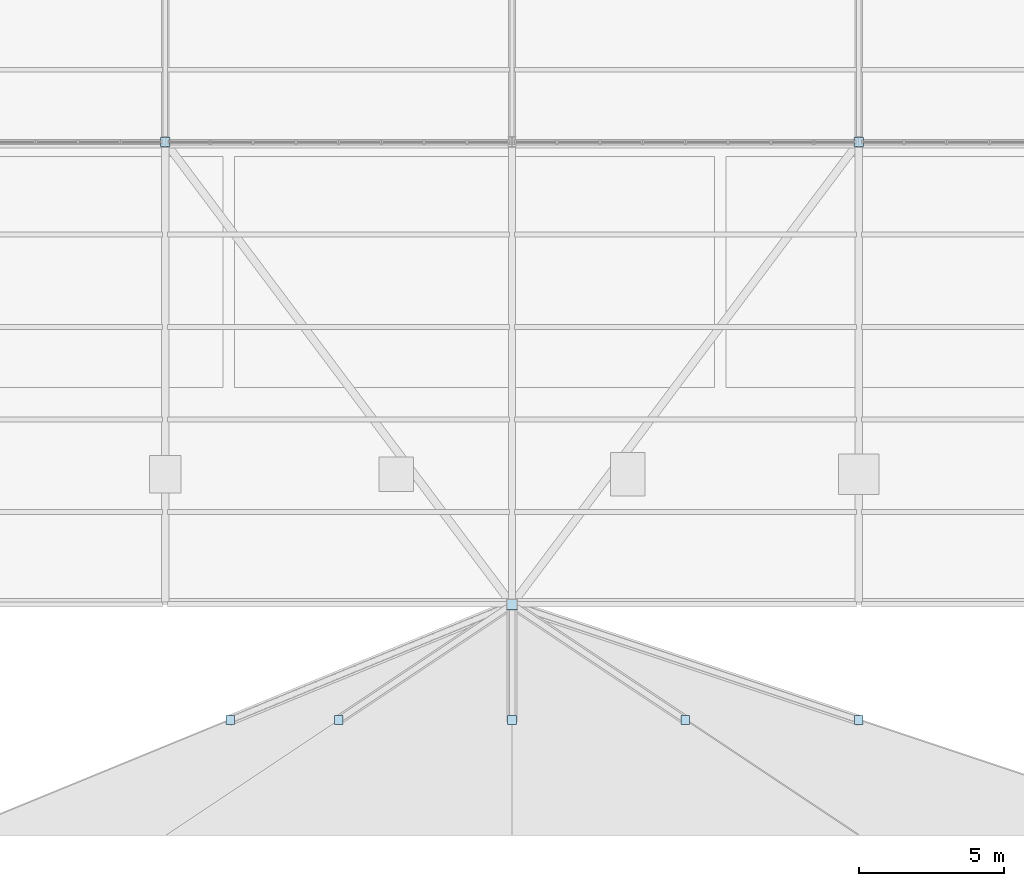
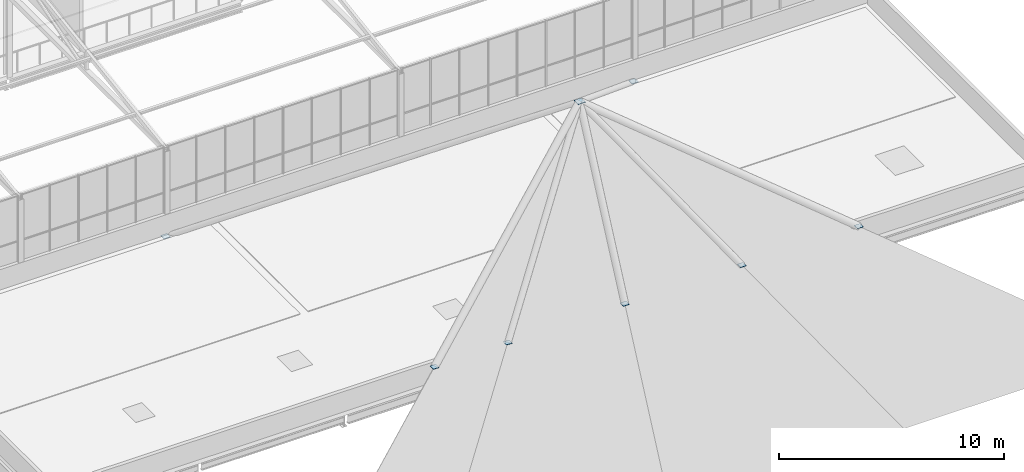
# One storey, part 94 of 104: 8 plates.
"""IFC4 building model written with IfcOpenShell, lengths in metres."""

from ifc_helpers import new_model, si_unit, direction, frame, origin, origin_2d, place, context, subcontext, project, spatial, rectangle, extrude, material, layer, layer_set, type_object, element, save


model = new_model("IFC4")

# Units and contexts
model_context = context("Model", 3, precision=1e-05, world=origin(), true_north=direction((0.0, 1.0)))
body_context = subcontext(model_context, "Body", "Model", "MODEL_VIEW")
ifc_project = project(units=[si_unit("LENGTHUNIT", "METRE"), si_unit("AREAUNIT", "SQUARE_METRE"), si_unit("VOLUMEUNIT", "CUBIC_METRE"), si_unit("PLANEANGLEUNIT", "RADIAN"), si_unit("MASSUNIT", "GRAM", prefix="KILO")], contexts=[model_context])

# Site, building, storey
site_placement = place(None, origin())
site = spatial("IfcSite", under=ifc_project, at=site_placement, CompositionType="ELEMENT")
building_placement = place(site_placement, origin())
building = spatial("IfcBuilding", under=site, at=building_placement, Name="Solvenia Promenade Tram Depot", CompositionType="ELEMENT")
storey_placement = place(building_placement, frame((0.0, 0.0, 9.0)))
storey = spatial("IfcBuildingStorey", under=building, at=storey_placement, Name="L02", CompositionType="ELEMENT", Elevation=9.0)

# Plates
ifc_material = material(Name="Structural steel ASTM A572 Gr. 50", Category="steel")
ifc_layer_1 = layer(ifc_material, 0.02392578125, Name="Structural steel ASTM A572 Gr. 50", Category="steel")
ifc_layer_set_1 = layer_set([ifc_layer_1], Name="Structural steel ASTM A572 Gr. 50")
plate_type_1 = type_object("IfcPlateType", Name="EndCap-CP1", PredefinedType="SHEET", material=ifc_layer_set_1)
plate_placement = place(storey_placement, frame((162.0, 8.0, 12.589111328125), z_axis=(0.0, 0.0, 1.0), x_axis=(1.0, 0.0, 0.0)))
element("IfcPlate", 1, at=plate_placement, inside=storey, type_object=plate_type_1, Name="Sail Mast Apex Cap Plate", PredefinedType="SHEET", context=body_context, shape_type="SweptSolid", body=[
    extrude(rectangle(XDim=0.3798828125, YDim=0.3798828125, at=origin_2d()), origin(), (0.0, 0.0, 1.0), 0.02197265625),
])
ifc_layer_2 = layer(ifc_material, 0.02197265625, Name="Structural steel ASTM A572 Gr. 50", Category="steel")
ifc_layer_set_2 = layer_set([ifc_layer_2], Name="Structural steel ASTM A572 Gr. 50")
plate_type_2 = type_object("IfcPlateType", Name="EndCap-CP2", PredefinedType="SHEET", material=ifc_layer_set_2)
for number, where, z_axis, x_axis, name in (
    (2, (150.0, 24.0, -0.23095703125), (0.0, 0.0, 1.0), (1.0, 0.0, 0.0), "Entrance Sail Back-Stay Foot Plate 1"),
    (3, (174.0, 24.0, -0.23095703125), (0.0, 0.0, 1.0), (1.0, 0.0, 0.0), "Entrance Sail Back-Stay Foot Plate 2"),
):
    element("IfcPlate", number, at=place(storey_placement, frame(where, z_axis=z_axis, x_axis=x_axis)), inside=storey, type_object=plate_type_2, Name=name, PredefinedType="SHEET", context=body_context, shape_type="SweptSolid", body=[
        extrude(rectangle(XDim=0.320068359375, YDim=0.320068359375, at=origin_2d()), origin(), (0.0, 0.0, 1.0), 0.02197265625),
    ])
ifc_layer_3 = layer(ifc_material, 0.02099609375, Name="Structural steel ASTM A572 Gr. 50", Category="steel")
ifc_layer_set_3 = layer_set([ifc_layer_3], Name="Structural steel ASTM A572 Gr. 50")
plate_type_3 = type_object("IfcPlateType", Name="EndCap-CP3", PredefinedType="SHEET", material=ifc_layer_set_3)
for number, where, z_axis, x_axis, name in (
    (4, (152.25, 4.0, 4.041015625), (0.0, 0.0, 1.0), (1.0, 0.0, 0.0), "Sail Mid Node Cap Plate 01"),
    (5, (156.0, 4.0, 4.041015625), (0.0, 0.0, 1.0), (1.0, 0.0, 0.0), "Sail Mid Node Cap Plate 02"),
    (6, (162.0, 4.0, 4.041015625), (0.0, 0.0, 1.0), (1.0, 0.0, 0.0), "Sail Mid Node Cap Plate 03"),
    (7, (168.0, 4.0, 4.041015625), (0.0, 0.0, 1.0), (1.0, 0.0, 0.0), "Sail Mid Node Cap Plate 04"),
    (8, (174.0, 4.0, 4.041015625), (0.0, 0.0, 1.0), (1.0, 0.0, 0.0), "Sail Mid Node Cap Plate 05"),
):
    element("IfcPlate", number, at=place(storey_placement, frame(where, z_axis=z_axis, x_axis=x_axis)), inside=storey, type_object=plate_type_3, Name=name, PredefinedType="SHEET", context=body_context, shape_type="SweptSolid", body=[
        extrude(rectangle(XDim=0.300048828125, YDim=0.300048828125, at=origin_2d()), origin(), (0.0, 0.0, 1.0), 0.01806640625),
    ])

save(model, "model.ifc")
